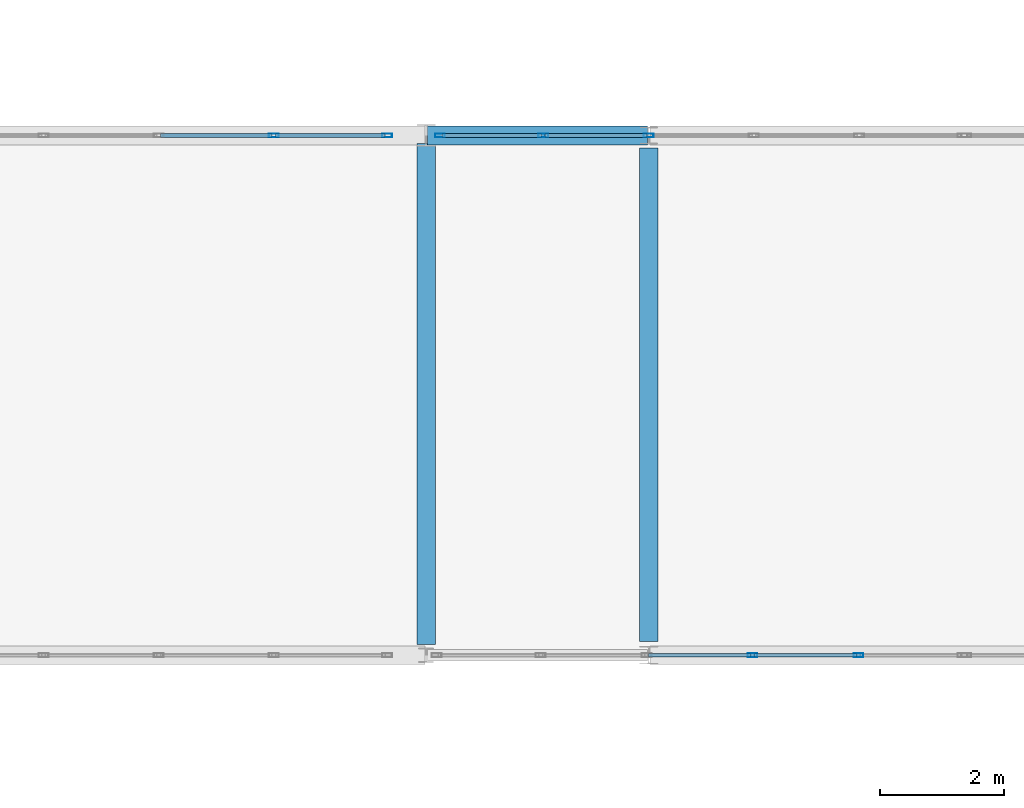
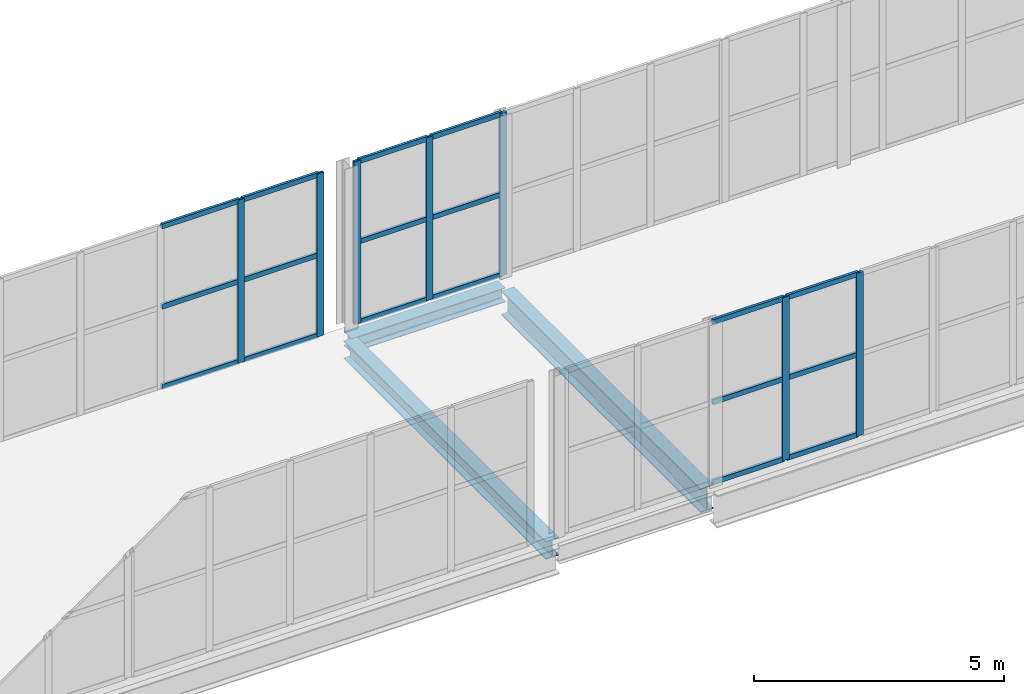
# One storey, part 62 of 138: 25 members, 3 beams, 3 elements without a shape of their own.
"""IFC4 building model written with IfcOpenShell, lengths in metres."""

import ifcopenshell
import ifcopenshell.guid

model = None  # the IFC model being written
_history = None  # IfcOwnerHistory: only IFC2X3 demands one
_inside = {}  # id of a spatial element -> (the spatial element, [elements in it])
_under = {}  # id of a project, library or spatial element -> (it, [spatial elements below it])
_declared = {}  # id of a project -> (the project, [libraries it declares])
_typed = {}  # id of a type object -> (the type object, [elements of that type])
_made_of = {}  # id of a material, layer set ... -> (it, [elements and type objects made of it])


def new_model(schema):
    """Start an empty IFC model of exactly this schema.

    Asked for "IFC4X3", IfcOpenShell would pick the latest addendum, in which some entities
    have other attributes; the version numbers below select the first issue.
    IFC2X3 requires an IfcOwnerHistory on every rooted entity: one is made here for all.
    """
    global model, _history
    if schema == "IFC4X3":
        model = ifcopenshell.file(schema_version=(4, 3, 0, 0))
    else:
        model = ifcopenshell.file(schema=schema)
    _inside.clear()
    _under.clear()
    _declared.clear()
    _typed.clear()
    _made_of.clear()
    _history = None
    if model.schema == "IFC2X3":
        org = make("IfcOrganization", Name="unknown")
        user = make(
            "IfcPersonAndOrganization",
            ThePerson=make("IfcPerson", FamilyName="unknown"),
            TheOrganization=org,
        )
        app = make(
            "IfcApplication",
            ApplicationDeveloper=org,
            Version="unknown",
            ApplicationFullName="unknown",
            ApplicationIdentifier="unknown",
        )
        _history = make(
            "IfcOwnerHistory",
            OwningUser=user,
            OwningApplication=app,
            ChangeAction="ADDED",
            CreationDate=0,
        )
    return model


def make(cls, **values):
    """One entity of the class cls with the attributes given. An attribute that is None is left unset."""
    return model.create_entity(
        cls, **{name: value for name, value in values.items() if value is not None}
    )


def rooted(cls, **values):
    """An entity with a GlobalId (a new one), such as an element, a storey or a relation."""
    return make(cls, GlobalId=ifcopenshell.guid.new(), OwnerHistory=_history, **values)


def si_unit(unit_type, name, prefix=None):
    """IfcSIUnit, for example si_unit("LENGTHUNIT", "METRE", prefix="MILLI")."""
    return make("IfcSIUnit", UnitType=unit_type, Prefix=prefix, Name=name)


def assignment(units):
    """IfcUnitAssignment: the units of a project."""
    return None if units is None else make("IfcUnitAssignment", Units=units)


def point(xyz):
    """IfcCartesianPoint."""
    return None if xyz is None else make("IfcCartesianPoint", Coordinates=xyz)


def direction(xyz):
    """IfcDirection."""
    return None if xyz is None else make("IfcDirection", DirectionRatios=xyz)


def frame(location, z_axis=None, x_axis=None):
    """IfcAxis2Placement3D, a coordinate frame: its origin and axes. An axis left out is left unset."""
    return make(
        "IfcAxis2Placement3D",
        Location=point(location),
        Axis=direction(z_axis),
        RefDirection=direction(x_axis),
    )


def frame_2d(location, x_axis=None):
    """IfcAxis2Placement2D, a coordinate frame in the plane: its origin and x axis."""
    return make(
        "IfcAxis2Placement2D", Location=point(location), RefDirection=direction(x_axis)
    )


def origin():
    """The frame at (0, 0, 0) with its axes left unset."""
    return frame((0.0, 0.0, 0.0))


def origin_2d():
    """The frame at (0, 0) in the plane with its x axis left unset."""
    return frame_2d((0.0, 0.0))


def place(relative_to, where):
    """IfcLocalPlacement: puts the frame where relative to a parent placement (None: the world)."""
    return make(
        "IfcLocalPlacement", PlacementRelTo=relative_to, RelativePlacement=where
    )


def context(
    kind, dimensions, precision=None, world=None, true_north=None, identifier=None
):
    """IfcGeometricRepresentationContext, for example the 3D "Model" context."""
    return make(
        "IfcGeometricRepresentationContext",
        ContextIdentifier=identifier,
        ContextType=kind,
        CoordinateSpaceDimension=dimensions,
        Precision=precision,
        WorldCoordinateSystem=world,
        TrueNorth=true_north,
    )


def subcontext(parent, identifier, kind, view, scale=None):
    """IfcGeometricRepresentationSubContext, for example "Body" below "Model"."""
    return make(
        "IfcGeometricRepresentationSubContext",
        ContextIdentifier=identifier,
        ContextType=kind,
        ParentContext=parent,
        TargetScale=scale,
        TargetView=view,
    )


def project(units=None, contexts=None):
    """IfcProject with its units and contexts."""
    return rooted(
        "IfcProject",
        Name="project",
        RepresentationContexts=contexts,
        UnitsInContext=assignment(units),
    )


def spatial(cls, under=None, at=None, **own):
    """A site, building, storey or space (cls), placed at a placement, below another one or the project."""
    s = rooted(cls, ObjectPlacement=at, **own)
    if under is not None:
        _under.setdefault(under.id(), (under, []))[1].append(s)
    return s


def profile(cls, at=None, kind="AREA", **sizes):
    """A parametric profile (cls). Its sizes go by their IFC names, for example OverallWidth=200.0."""
    return make(cls, ProfileType=kind, Position=at, **sizes)


def hollow_rectangle(**sizes):
    """IfcRectangleHollowProfileDef."""
    return profile("IfcRectangleHollowProfileDef", **sizes)


def i_section(**sizes):
    """IfcIShapeProfileDef."""
    return profile("IfcIShapeProfileDef", **sizes)


def extrude(swept, where, along, depth):
    """IfcExtrudedAreaSolid: the profile swept, set in the frame where, extruded along a direction by depth."""
    return make(
        "IfcExtrudedAreaSolid",
        SweptArea=swept,
        Position=where,
        ExtrudedDirection=direction(along),
        Depth=depth,
    )


def shape(context_of_items, identifier, shape_type, items):
    """IfcShapeRepresentation: the items that make up one representation, for example the "Body"."""
    return make(
        "IfcShapeRepresentation",
        ContextOfItems=context_of_items,
        RepresentationIdentifier=identifier,
        RepresentationType=shape_type,
        Items=items,
    )


def material(Name=None, Category=None):
    """IfcMaterial."""
    return make("IfcMaterial", Name=Name, Category=Category)


def layer(
    of_material, thickness, ventilated=None, Name=None, Category=None, Priority=None
):
    """IfcMaterialLayer: one layer of a wall or slab, of a material (None: an air gap)."""
    return make(
        "IfcMaterialLayer",
        Material=of_material,
        LayerThickness=thickness,
        IsVentilated=ventilated,
        Name=Name,
        Category=Category,
        Priority=Priority,
    )


def layer_set(layers, Name=None):
    """IfcMaterialLayerSet."""
    return make("IfcMaterialLayerSet", MaterialLayers=layers, LayerSetName=Name)


def material_profile(
    of_material, cross_section, Name=None, Category=None, Priority=None
):
    """IfcMaterialProfile: a cross section and its material."""
    return make(
        "IfcMaterialProfile",
        Name=Name,
        Material=of_material,
        Profile=cross_section,
        Priority=Priority,
        Category=Category,
    )


def profile_set(profiles, Name=None, composite=None):
    """IfcMaterialProfileSet."""
    return make(
        "IfcMaterialProfileSet",
        Name=Name,
        MaterialProfiles=profiles,
        CompositeProfile=composite,
    )


def made_of(thing, what):
    """Note that an element or type object is made of a material, layer set ...; save() writes the relation."""
    if what is not None:
        _made_of.setdefault(what.id(), (what, []))[1].append(thing)
    return thing


def type_object(cls, material=None, **own):
    """A type object (cls), such as IfcWallType, which elements share."""
    return made_of(rooted(cls, **own), material)


def element(
    cls,
    number,
    at=None,
    inside=None,
    cuts=None,
    type_object=None,
    material=None,
    context=None,
    identifier="Body",
    shape_type=None,
    held_by="IfcProductDefinitionShape",
    body=None,
    shapes=None,
    **own,
):
    """One element of the class cls, such as IfcWall. Its Tag is "e" and its number.

    at: its placement. inside: the storey or other place that contains it. cuts: it is an
    opening in that element (IfcRelVoidsElement). A single representation is given by context,
    identifier, shape_type and body (its items); several are given by shapes. held_by: the class
    of the entity that holds the representations. save() writes the other relations.
    """
    e = rooted(cls, Tag="e%d" % number, ObjectPlacement=at, **own)
    if body is not None:
        shapes = [shape(context, identifier, shape_type, body)]
    if shapes is not None:
        e.Representation = make(held_by, Representations=shapes)
    if inside is not None:
        _inside.setdefault(inside.id(), (inside, []))[1].append(e)
    if cuts is not None:
        rooted(
            "IfcRelVoidsElement", RelatingBuildingElement=cuts, RelatedOpeningElement=e
        )
    if type_object is not None:
        _typed.setdefault(type_object.id(), (type_object, []))[1].append(e)
    return made_of(e, material)


def aggregate(whole, parts):
    """IfcRelAggregates: a whole, such as a stair, and the parts it consists of."""
    return rooted("IfcRelAggregates", RelatingObject=whole, RelatedObjects=parts)


def save(model, path):
    """Write the relations noted so far, then the file.

    IfcRelAggregates (storeys below a building ...), IfcRelContainedInSpatialStructure (elements
    in a storey), IfcRelDefinesByType, IfcRelAssociatesMaterial and IfcRelDeclares: one each for
    every whole, place, type object, material and project.
    """
    for whole, parts in _under.values():
        aggregate(whole, parts)
    for where, things in _inside.values():
        rooted(
            "IfcRelContainedInSpatialStructure",
            RelatedElements=things,
            RelatingStructure=where,
        )
    for kind, things in _typed.values():
        rooted("IfcRelDefinesByType", RelatedObjects=things, RelatingType=kind)
    for what, things in _made_of.values():
        rooted("IfcRelAssociatesMaterial", RelatedObjects=things, RelatingMaterial=what)
    for by, libraries in _declared.values():
        rooted("IfcRelDeclares", RelatingContext=by, RelatedDefinitions=libraries)
    model.write(path)


model = new_model("IFC4")

# Units and contexts
model_context = context("Model", 3, precision=1e-05, world=origin(), true_north=direction((0.0, 1.0)))
body_context = subcontext(model_context, "Body", "Model", "MODEL_VIEW")
ifc_project = project(units=[si_unit("LENGTHUNIT", "METRE"), si_unit("AREAUNIT", "SQUARE_METRE"), si_unit("VOLUMEUNIT", "CUBIC_METRE"), si_unit("PLANEANGLEUNIT", "RADIAN"), si_unit("MASSUNIT", "GRAM", prefix="KILO")], contexts=[model_context])

# Site, building, storey
site_placement = place(None, origin())
site = spatial("IfcSite", under=ifc_project, at=site_placement, CompositionType="ELEMENT")
building_placement = place(site_placement, origin())
building = spatial("IfcBuilding", under=site, at=building_placement, Name="Vinh Khe Railworks Police Headquarters", CompositionType="ELEMENT")
storey_placement = place(building_placement, frame((0.0, 0.0, 9.0)))
storey = spatial("IfcBuildingStorey", under=building, at=storey_placement, Name="L02", CompositionType="ELEMENT", Elevation=9.0)

# Curtain wall, members
ifc_material_1 = material(Name="Anodised aluminium and solar-control glass", Category="aluminium")
ifc_layer = layer(ifc_material_1, 0.159912109375)
ifc_layer_set = layer_set([ifc_layer], Name="Anodised aluminium and solar-control glass")
curtain_wall_type = type_object("IfcCurtainWallType", Name="CW-SHOPFRONT", PredefinedType="USERDEFINED", material=ifc_layer_set)
curtain_wall_1_placement = place(storey_placement, origin())
curtain_wall_1 = element("IfcCurtainWall", 1, at=curtain_wall_1_placement, inside=storey, type_object=curtain_wall_type, Name="Link Bridge North Glazing L02 Bay 4", ObjectType="UNITISED GLAZING", PredefinedType="USERDEFINED")
ifc_material_2 = material(Name="Anodised aluminium 6063-T6", Category="aluminium")
ifc_material_profile_1 = material_profile(ifc_material_2, hollow_rectangle(XDim=0.06005859375, YDim=0.159912109375, WallThickness=0.00390625, at=origin_2d()), Name="CW-M 60x160x4")
ifc_profile_set_1 = profile_set([ifc_material_profile_1], Name="Anodised aluminium 6063-T6")
member_type_1 = type_object("IfcMemberType", Name="MULL-CWM-01", PredefinedType="MULLION", material=ifc_profile_set_1)
member_1_placement = place(storey_placement, frame((57.5400390625, 104.39990234375, 0.0), z_axis=(0.0, 0.0, 1.0), x_axis=(0.0, 1.0, 0.0)))
member_1 = element("IfcMember", 2, at=member_1_placement, type_object=member_type_1, Name="CW-03 mullion 5", PredefinedType="MULLION", context=body_context, shape_type="SweptSolid", body=[
    extrude(hollow_rectangle(XDim=0.06005859375, YDim=0.159912109375, WallThickness=0.00390625, at=origin_2d()), origin(), (0.0, 0.0, 1.0), 3.97998046875),
])
member_2_placement = place(storey_placement, frame((59.3701171875, 104.39990234375, 0.0), z_axis=(0.0, 0.0, 1.0), x_axis=(0.0, 1.0, 0.0)))
member_2 = element("IfcMember", 3, at=member_2_placement, type_object=member_type_1, Name="CW-03 mullion 6", PredefinedType="MULLION", context=body_context, shape_type="SweptSolid", body=[
    extrude(hollow_rectangle(XDim=0.06005859375, YDim=0.159912109375, WallThickness=0.00390625, at=origin_2d()), origin(), (0.0, 0.0, 1.0), 3.97998046875),
])

curtain_wall_2_placement = place(storey_placement, origin())
curtain_wall_2 = element("IfcCurtainWall", 4, at=curtain_wall_2_placement, inside=storey, type_object=curtain_wall_type, Name="Link Bridge South Glazing L02 Bay 5", ObjectType="UNITISED GLAZING", PredefinedType="USERDEFINED")
member_3_placement = place(storey_placement, frame((65.27587890625, 96.0, 0.0), z_axis=(0.0, 0.0, 1.0), x_axis=(0.0, 1.0, 0.0)))
member_3 = element("IfcMember", 5, at=member_3_placement, type_object=member_type_1, Name="CW-03 mullion 4", PredefinedType="MULLION", context=body_context, shape_type="SweptSolid", body=[
    extrude(hollow_rectangle(XDim=0.06005859375, YDim=0.159912109375, WallThickness=0.00390625, at=origin_2d()), origin(), (0.0, 0.0, 1.0), 3.97998046875),
])
member_4_placement = place(storey_placement, frame((66.988037109375, 96.0, 0.0), z_axis=(0.0, 0.0, 1.0), x_axis=(0.0, 1.0, 0.0)))
member_4 = element("IfcMember", 6, at=member_4_placement, type_object=member_type_1, Name="CW-03 mullion 5", PredefinedType="MULLION", context=body_context, shape_type="SweptSolid", body=[
    extrude(hollow_rectangle(XDim=0.06005859375, YDim=0.159912109375, WallThickness=0.00390625, at=origin_2d()), origin(), (0.0, 0.0, 1.0), 3.97998046875),
])

curtain_wall_3_placement = place(storey_placement, origin())
curtain_wall_3 = element("IfcCurtainWall", 7, at=curtain_wall_3_placement, inside=storey, type_object=curtain_wall_type, Name="Link Bridge North Glazing L02 Bay 5", ObjectType="UNITISED GLAZING", PredefinedType="USERDEFINED")
member_5_placement = place(storey_placement, frame((60.22509765625, 104.39990234375, 0.0), z_axis=(0.0, 0.0, 1.0), x_axis=(0.0, 1.0, 0.0)))
member_5 = element("IfcMember", 8, at=member_5_placement, type_object=member_type_1, Name="CW-03 mullion 1", PredefinedType="MULLION", context=body_context, shape_type="SweptSolid", body=[
    extrude(hollow_rectangle(XDim=0.06005859375, YDim=0.159912109375, WallThickness=0.00390625, at=origin_2d()), origin(), (0.0, 0.0, 1.0), 3.97998046875),
])
member_6_placement = place(storey_placement, frame((61.89599609375, 104.39990234375, 0.0), z_axis=(0.0, 0.0, 1.0), x_axis=(0.0, 1.0, 0.0)))
member_6 = element("IfcMember", 9, at=member_6_placement, type_object=member_type_1, Name="CW-03 mullion 2", PredefinedType="MULLION", context=body_context, shape_type="SweptSolid", body=[
    extrude(hollow_rectangle(XDim=0.06005859375, YDim=0.159912109375, WallThickness=0.00390625, at=origin_2d()), origin(), (0.0, 0.0, 1.0), 3.97998046875),
])
member_7_placement = place(storey_placement, frame((63.596923828125, 104.39990234375, 0.0), z_axis=(0.0, 0.0, 1.0), x_axis=(0.0, 1.0, 0.0)))
member_7 = element("IfcMember", 10, at=member_7_placement, type_object=member_type_1, Name="CW-03 mullion 3", PredefinedType="MULLION", context=body_context, shape_type="SweptSolid", body=[
    extrude(hollow_rectangle(XDim=0.06005859375, YDim=0.159912109375, WallThickness=0.00390625, at=origin_2d()), origin(), (0.0, 0.0, 1.0), 3.97998046875),
])

# Beams
ifc_material_3 = material(Name="Steel S355JR", Category="steel")
ifc_material_profile_2 = material_profile(ifc_material_3, i_section(OverallWidth=0.300048828125, OverallDepth=0.35009765625, WebThickness=0.010009765625, FlangeThickness=0.017578125, FilletRadius=0.027099609375, at=origin_2d()), Name="HEA 360")
ifc_profile_set_2 = profile_set([ifc_material_profile_2], Name="Steel S355JR")
beam_type_1 = type_object("IfcBeamType", Name="Steel Girder HEA 360", PredefinedType="BEAM", material=ifc_profile_set_2)
beam_1_placement = place(storey_placement, frame((60.02001953125, 104.39990234375, -0.39501953125), z_axis=(1.0, 0.0, 0.0), x_axis=(0.0, 1.0, 0.0)))
element("IfcBeam", 11, at=beam_1_placement, inside=storey, type_object=beam_type_1, Name="Girder BM-L02-EW-SB-15-0823", PredefinedType="BEAM", context=body_context, shape_type="SweptSolid", body=[
    extrude(i_section(OverallWidth=0.300048828125, OverallDepth=0.35009765625, WebThickness=0.010009765625, FlangeThickness=0.017578125, FilletRadius=0.027099609375, at=origin_2d()), origin(), (0.0, 0.0, 1.0), 3.56005859375),
])
ifc_material_profile_3 = material_profile(ifc_material_3, i_section(OverallWidth=0.300048828125, OverallDepth=0.43994140625, WebThickness=0.011474609375, FlangeThickness=0.02099609375, FilletRadius=0.027099609375, at=origin_2d()), Name="HEA 450")
ifc_profile_set_3 = profile_set([ifc_material_profile_3], Name="Steel S355JR")
beam_type_2 = type_object("IfcBeamType", Name="Steel Girder HEA 450", PredefinedType="BEAM", material=ifc_profile_set_3)
beam_2_placement = place(storey_placement, frame((60.0, 96.175048828125, -0.43994140625), z_axis=(0.0, 1.0, 0.0), x_axis=(-1.0, 0.0, 0.0)))
element("IfcBeam", 12, at=beam_2_placement, inside=storey, type_object=beam_type_2, Name="Girder BM-L02-NS-SB-13-0970", PredefinedType="BEAM", context=body_context, shape_type="SweptSolid", body=[
    extrude(i_section(OverallWidth=0.300048828125, OverallDepth=0.43994140625, WebThickness=0.011474609375, FlangeThickness=0.02099609375, FilletRadius=0.027099609375, at=origin_2d()), origin(), (0.0, 0.0, 1.0), 8.094970703125),
])
ifc_material_profile_4 = material_profile(ifc_material_3, i_section(OverallWidth=0.300048828125, OverallDepth=0.590087890625, WebThickness=0.012939453125, FlangeThickness=0.02490234375, FilletRadius=0.027099609375, at=origin_2d()), Name="HEA 600")
ifc_profile_set_4 = profile_set([ifc_material_profile_4], Name="Steel S355JR")
beam_type_3 = type_object("IfcBeamType", Name="Steel Girder HEA 600", PredefinedType="BEAM", material=ifc_profile_set_4)
beam_3_placement = place(storey_placement, frame((63.60009765625, 96.22509765625, -0.514892578125), z_axis=(0.0, 1.0, 0.0), x_axis=(-1.0, 0.0, 0.0)))
element("IfcBeam", 13, at=beam_3_placement, inside=storey, type_object=beam_type_3, Name="Girder BM-L02-NS-SB-10-0973", PredefinedType="BEAM", context=body_context, shape_type="SweptSolid", body=[
    extrude(i_section(OverallWidth=0.300048828125, OverallDepth=0.590087890625, WebThickness=0.012939453125, FlangeThickness=0.02490234375, FilletRadius=0.027099609375, at=origin_2d()), origin(), (0.0, 0.0, 1.0), 7.974853515625),
])

# Member
ifc_material_profile_5 = material_profile(ifc_material_2, hollow_rectangle(XDim=0.06005859375, YDim=0.1201171875, WallThickness=0.00390625, at=origin_2d()), Name="CW-T 60x120x4")
ifc_profile_set_5 = profile_set([ifc_material_profile_5], Name="Anodised aluminium 6063-T6")
member_type_2 = type_object("IfcMemberType", Name="TRAN-CWT-01", PredefinedType="USERDEFINED", material=ifc_profile_set_5)
member_8_placement = place(storey_placement, frame((55.7099609375, 104.39990234375, 0.030029296875), z_axis=(1.0, 0.0, 0.0), x_axis=(0.0, 1.0, 0.0)))
member_8 = element("IfcMember", 14, at=member_8_placement, type_object=member_type_2, Name="CW-03 transom 4.1", ObjectType="TRANSOM", PredefinedType="USERDEFINED", context=body_context, shape_type="SweptSolid", body=[
    extrude(hollow_rectangle(XDim=0.06005859375, YDim=0.1201171875, WallThickness=0.00390625, at=origin_2d()), origin(), (0.0, 0.0, 1.0), 1.800048828125),
])

member_9_placement = place(storey_placement, frame((55.7099609375, 104.39990234375, 1.989990234375), z_axis=(1.0, 0.0, 0.0), x_axis=(0.0, 1.0, 0.0)))
member_9 = element("IfcMember", 15, at=member_9_placement, type_object=member_type_2, Name="CW-03 transom 4.2", ObjectType="TRANSOM", PredefinedType="USERDEFINED", context=body_context, shape_type="SweptSolid", body=[
    extrude(hollow_rectangle(XDim=0.06005859375, YDim=0.1201171875, WallThickness=0.00390625, at=origin_2d()), origin(), (0.0, 0.0, 1.0), 1.800048828125),
])

member_10_placement = place(storey_placement, frame((55.7099609375, 104.39990234375, 3.949951171875), z_axis=(1.0, 0.0, 0.0), x_axis=(0.0, 1.0, 0.0)))
member_10 = element("IfcMember", 16, at=member_10_placement, type_object=member_type_2, Name="CW-03 transom 4.3", ObjectType="TRANSOM", PredefinedType="USERDEFINED", context=body_context, shape_type="SweptSolid", body=[
    extrude(hollow_rectangle(XDim=0.06005859375, YDim=0.1201171875, WallThickness=0.00390625, at=origin_2d()), origin(), (0.0, 0.0, 1.0), 1.800048828125),
])

member_11_placement = place(storey_placement, frame((57.570068359375, 104.39990234375, 0.030029296875), z_axis=(1.0, 0.0, 0.0), x_axis=(0.0, 1.0, 0.0)))
member_11 = element("IfcMember", 17, at=member_11_placement, type_object=member_type_2, Name="CW-03 transom 5.1", ObjectType="TRANSOM", PredefinedType="USERDEFINED", context=body_context, shape_type="SweptSolid", body=[
    extrude(hollow_rectangle(XDim=0.06005859375, YDim=0.1201171875, WallThickness=0.00390625, at=origin_2d()), origin(), (0.0, 0.0, 1.0), 1.77001953125),
])

member_12_placement = place(storey_placement, frame((57.570068359375, 104.39990234375, 1.989990234375), z_axis=(1.0, 0.0, 0.0), x_axis=(0.0, 1.0, 0.0)))
member_12 = element("IfcMember", 18, at=member_12_placement, type_object=member_type_2, Name="CW-03 transom 5.2", ObjectType="TRANSOM", PredefinedType="USERDEFINED", context=body_context, shape_type="SweptSolid", body=[
    extrude(hollow_rectangle(XDim=0.06005859375, YDim=0.1201171875, WallThickness=0.00390625, at=origin_2d()), origin(), (0.0, 0.0, 1.0), 1.77001953125),
])

member_13_placement = place(storey_placement, frame((57.570068359375, 104.39990234375, 3.949951171875), z_axis=(1.0, 0.0, 0.0), x_axis=(0.0, 1.0, 0.0)))
member_13 = element("IfcMember", 19, at=member_13_placement, type_object=member_type_2, Name="CW-03 transom 5.3", ObjectType="TRANSOM", PredefinedType="USERDEFINED", context=body_context, shape_type="SweptSolid", body=[
    extrude(hollow_rectangle(XDim=0.06005859375, YDim=0.1201171875, WallThickness=0.00390625, at=origin_2d()), origin(), (0.0, 0.0, 1.0), 1.77001953125),
])

aggregate(curtain_wall_1, [member_1, member_2, member_8, member_9, member_10, member_11, member_12, member_13])

member_14_placement = place(storey_placement, frame((63.593994140625, 96.0, 0.030029296875), z_axis=(1.0, 0.0, 0.0), x_axis=(0.0, 1.0, 0.0)))
member_14 = element("IfcMember", 20, at=member_14_placement, type_object=member_type_2, Name="CW-03 transom 3.1", ObjectType="TRANSOM", PredefinedType="USERDEFINED", context=body_context, shape_type="SweptSolid", body=[
    extrude(hollow_rectangle(XDim=0.06005859375, YDim=0.1201171875, WallThickness=0.00390625, at=origin_2d()), origin(), (0.0, 0.0, 1.0), 1.652099609375),
])

member_15_placement = place(storey_placement, frame((63.593994140625, 96.0, 1.989990234375), z_axis=(1.0, 0.0, 0.0), x_axis=(0.0, 1.0, 0.0)))
member_15 = element("IfcMember", 21, at=member_15_placement, type_object=member_type_2, Name="CW-03 transom 3.2", ObjectType="TRANSOM", PredefinedType="USERDEFINED", context=body_context, shape_type="SweptSolid", body=[
    extrude(hollow_rectangle(XDim=0.06005859375, YDim=0.1201171875, WallThickness=0.00390625, at=origin_2d()), origin(), (0.0, 0.0, 1.0), 1.652099609375),
])

member_16_placement = place(storey_placement, frame((63.593994140625, 96.0, 3.949951171875), z_axis=(1.0, 0.0, 0.0), x_axis=(0.0, 1.0, 0.0)))
member_16 = element("IfcMember", 22, at=member_16_placement, type_object=member_type_2, Name="CW-03 transom 3.3", ObjectType="TRANSOM", PredefinedType="USERDEFINED", context=body_context, shape_type="SweptSolid", body=[
    extrude(hollow_rectangle(XDim=0.06005859375, YDim=0.1201171875, WallThickness=0.00390625, at=origin_2d()), origin(), (0.0, 0.0, 1.0), 1.652099609375),
])

member_17_placement = place(storey_placement, frame((65.305908203125, 96.0, 0.030029296875), z_axis=(1.0, 0.0, 0.0), x_axis=(0.0, 1.0, 0.0)))
member_17 = element("IfcMember", 23, at=member_17_placement, type_object=member_type_2, Name="CW-03 transom 4.1", ObjectType="TRANSOM", PredefinedType="USERDEFINED", context=body_context, shape_type="SweptSolid", body=[
    extrude(hollow_rectangle(XDim=0.06005859375, YDim=0.1201171875, WallThickness=0.00390625, at=origin_2d()), origin(), (0.0, 0.0, 1.0), 1.652099609375),
])

member_18_placement = place(storey_placement, frame((65.305908203125, 96.0, 1.989990234375), z_axis=(1.0, 0.0, 0.0), x_axis=(0.0, 1.0, 0.0)))
member_18 = element("IfcMember", 24, at=member_18_placement, type_object=member_type_2, Name="CW-03 transom 4.2", ObjectType="TRANSOM", PredefinedType="USERDEFINED", context=body_context, shape_type="SweptSolid", body=[
    extrude(hollow_rectangle(XDim=0.06005859375, YDim=0.1201171875, WallThickness=0.00390625, at=origin_2d()), origin(), (0.0, 0.0, 1.0), 1.652099609375),
])

member_19_placement = place(storey_placement, frame((65.305908203125, 96.0, 3.949951171875), z_axis=(1.0, 0.0, 0.0), x_axis=(0.0, 1.0, 0.0)))
member_19 = element("IfcMember", 25, at=member_19_placement, type_object=member_type_2, Name="CW-03 transom 4.3", ObjectType="TRANSOM", PredefinedType="USERDEFINED", context=body_context, shape_type="SweptSolid", body=[
    extrude(hollow_rectangle(XDim=0.06005859375, YDim=0.1201171875, WallThickness=0.00390625, at=origin_2d()), origin(), (0.0, 0.0, 1.0), 1.652099609375),
])

aggregate(curtain_wall_2, [member_3, member_4, member_14, member_15, member_16, member_17, member_18, member_19])

member_20_placement = place(storey_placement, frame((60.2548828125, 104.39990234375, 0.030029296875), z_axis=(1.0, 0.0, 0.0), x_axis=(0.0, 1.0, 0.0)))
member_20 = element("IfcMember", 26, at=member_20_placement, type_object=member_type_2, Name="CW-03 transom 1.1", ObjectType="TRANSOM", PredefinedType="USERDEFINED", context=body_context, shape_type="SweptSolid", body=[
    extrude(hollow_rectangle(XDim=0.06005859375, YDim=0.1201171875, WallThickness=0.00390625, at=origin_2d()), origin(), (0.0, 0.0, 1.0), 1.611083984375),
])

member_21_placement = place(storey_placement, frame((60.2548828125, 104.39990234375, 1.989990234375), z_axis=(1.0, 0.0, 0.0), x_axis=(0.0, 1.0, 0.0)))
member_21 = element("IfcMember", 27, at=member_21_placement, type_object=member_type_2, Name="CW-03 transom 1.2", ObjectType="TRANSOM", PredefinedType="USERDEFINED", context=body_context, shape_type="SweptSolid", body=[
    extrude(hollow_rectangle(XDim=0.06005859375, YDim=0.1201171875, WallThickness=0.00390625, at=origin_2d()), origin(), (0.0, 0.0, 1.0), 1.611083984375),
])

member_22_placement = place(storey_placement, frame((60.2548828125, 104.39990234375, 3.949951171875), z_axis=(1.0, 0.0, 0.0), x_axis=(0.0, 1.0, 0.0)))
member_22 = element("IfcMember", 28, at=member_22_placement, type_object=member_type_2, Name="CW-03 transom 1.3", ObjectType="TRANSOM", PredefinedType="USERDEFINED", context=body_context, shape_type="SweptSolid", body=[
    extrude(hollow_rectangle(XDim=0.06005859375, YDim=0.1201171875, WallThickness=0.00390625, at=origin_2d()), origin(), (0.0, 0.0, 1.0), 1.611083984375),
])

member_23_placement = place(storey_placement, frame((61.926025390625, 104.39990234375, 0.030029296875), z_axis=(1.0, 0.0, 0.0), x_axis=(0.0, 1.0, 0.0)))
member_23 = element("IfcMember", 29, at=member_23_placement, type_object=member_type_2, Name="CW-03 transom 2.1", ObjectType="TRANSOM", PredefinedType="USERDEFINED", context=body_context, shape_type="SweptSolid", body=[
    extrude(hollow_rectangle(XDim=0.06005859375, YDim=0.1201171875, WallThickness=0.00390625, at=origin_2d()), origin(), (0.0, 0.0, 1.0), 1.640869140625),
])

member_24_placement = place(storey_placement, frame((61.926025390625, 104.39990234375, 1.989990234375), z_axis=(1.0, 0.0, 0.0), x_axis=(0.0, 1.0, 0.0)))
member_24 = element("IfcMember", 30, at=member_24_placement, type_object=member_type_2, Name="CW-03 transom 2.2", ObjectType="TRANSOM", PredefinedType="USERDEFINED", context=body_context, shape_type="SweptSolid", body=[
    extrude(hollow_rectangle(XDim=0.06005859375, YDim=0.1201171875, WallThickness=0.00390625, at=origin_2d()), origin(), (0.0, 0.0, 1.0), 1.640869140625),
])

member_25_placement = place(storey_placement, frame((61.926025390625, 104.39990234375, 3.949951171875), z_axis=(1.0, 0.0, 0.0), x_axis=(0.0, 1.0, 0.0)))
member_25 = element("IfcMember", 31, at=member_25_placement, type_object=member_type_2, Name="CW-03 transom 2.3", ObjectType="TRANSOM", PredefinedType="USERDEFINED", context=body_context, shape_type="SweptSolid", body=[
    extrude(hollow_rectangle(XDim=0.06005859375, YDim=0.1201171875, WallThickness=0.00390625, at=origin_2d()), origin(), (0.0, 0.0, 1.0), 1.640869140625),
])

aggregate(curtain_wall_3, [member_5, member_6, member_7, member_20, member_21, member_22, member_23, member_24, member_25])

save(model, "model.ifc")
